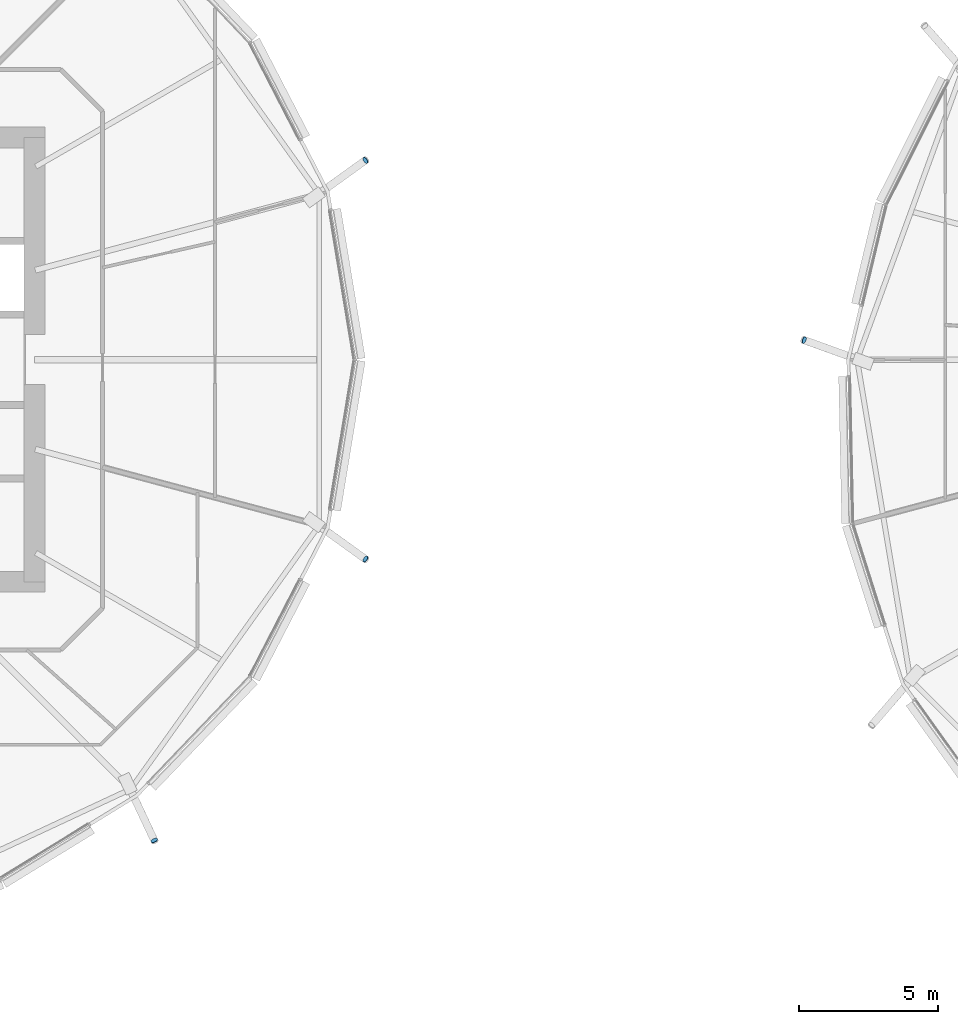
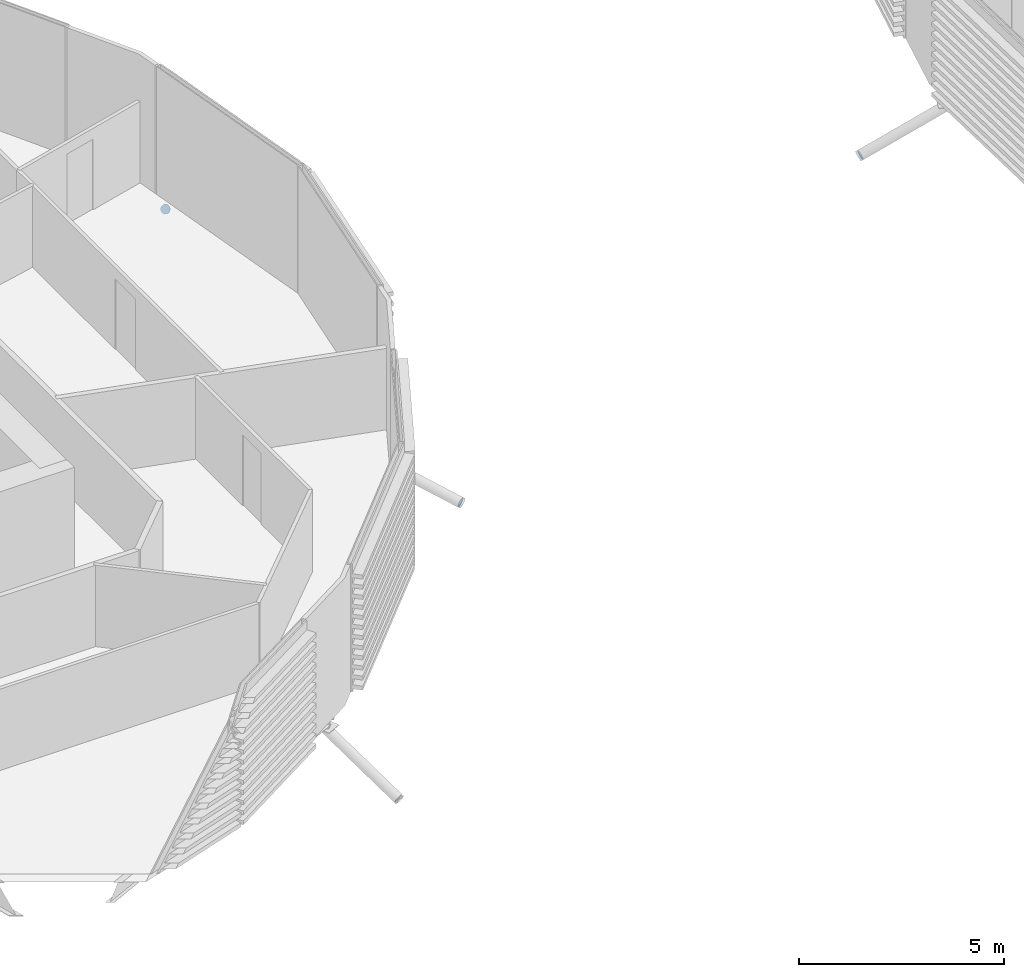
# One storey, part 28 of 39: 4 discrete accessories.
"""IFC4 building model written with IfcOpenShell, lengths in metres."""

from ifc_helpers import new_model, si_unit, direction, frame, origin, origin_2d, place, context, subcontext, project, spatial, circle, extrude, material, material_profile, profile_set, type_object, element, save


model = new_model("IFC4")

# Units and contexts
model_context = context("Model", 3, precision=1e-05, world=origin(), true_north=direction((0.0, 1.0)))
body_context = subcontext(model_context, "Body", "Model", "MODEL_VIEW")
ifc_project = project(units=[si_unit("LENGTHUNIT", "METRE"), si_unit("AREAUNIT", "SQUARE_METRE"), si_unit("VOLUMEUNIT", "CUBIC_METRE"), si_unit("PLANEANGLEUNIT", "RADIAN"), si_unit("MASSUNIT", "GRAM", prefix="KILO")], contexts=[model_context])

# Site, building, storey
site_placement = place(None, origin())
site = spatial("IfcSite", under=ifc_project, at=site_placement, CompositionType="ELEMENT")
building_placement = place(site_placement, origin())
building = spatial("IfcBuilding", under=site, at=building_placement, Name="Rimbun Link Towers", CompositionType="ELEMENT")
storey_placement = place(building_placement, frame((0.0, 0.0, 96.800048828125)))
storey = spatial("IfcBuildingStorey", under=building, at=storey_placement, Name="L23", CompositionType="ELEMENT", Elevation=96.800048828125)

# Discrete accessories
ifc_material = material(Name="Steel S355J2H", Category="steel")
ifc_material_profile = material_profile(ifc_material, circle(Radius=0.1240234375, at=origin_2d()), Name="PL D248")
ifc_profile_set = profile_set([ifc_material_profile], Name="Steel S355J2H")
discrete_accessory_type = type_object("IfcDiscreteAccessoryType", Name="Link foot sealing plate D248X20", PredefinedType="BRACKET", material=ifc_profile_set)
for number, where, z_axis, x_axis, name in (
    (1, (-7.837158203125, 7.1787109375, -2.000244140625), (0.71150916875, 0.50296337791, -0.490695978449), (-0.577235817752, 0.816577498284, 0.0), "Link foot sealing plate T1 L23 01"),
    (2, (-15.436767578125, -17.308837890625, -1.993896484375), (0.363643042174, -0.787893258044, -0.496978824305), (0.9079593845, 0.419058177462, 0.0), "Link foot sealing plate T1 L23 21"),
    (3, (-7.837158203125, -7.1787109375, -2.000244140625), (0.71150916875, -0.50296337791, -0.490695978449), (0.577235817752, 0.816577498284, 0.0), "Link foot sealing plate T1 L23 23"),
    (4, (7.9755859375, 0.7041015625, -1.993896484375), (-0.815739766553, 0.292205289512, -0.499184036249), (-0.337226361594, -0.941423592782, 0.0), "Link foot sealing plate T2 L23 09"),
):
    element("IfcDiscreteAccessory", number, at=place(storey_placement, frame(where, z_axis=z_axis, x_axis=x_axis)), inside=storey, type_object=discrete_accessory_type, Name=name, PredefinedType="BRACKET", context=body_context, shape_type="SweptSolid", body=[
        extrude(circle(Radius=0.1240234375, at=origin_2d()), origin(), (0.0, 0.0, 1.0), 0.02001953125),
    ])

save(model, "model.ifc")
